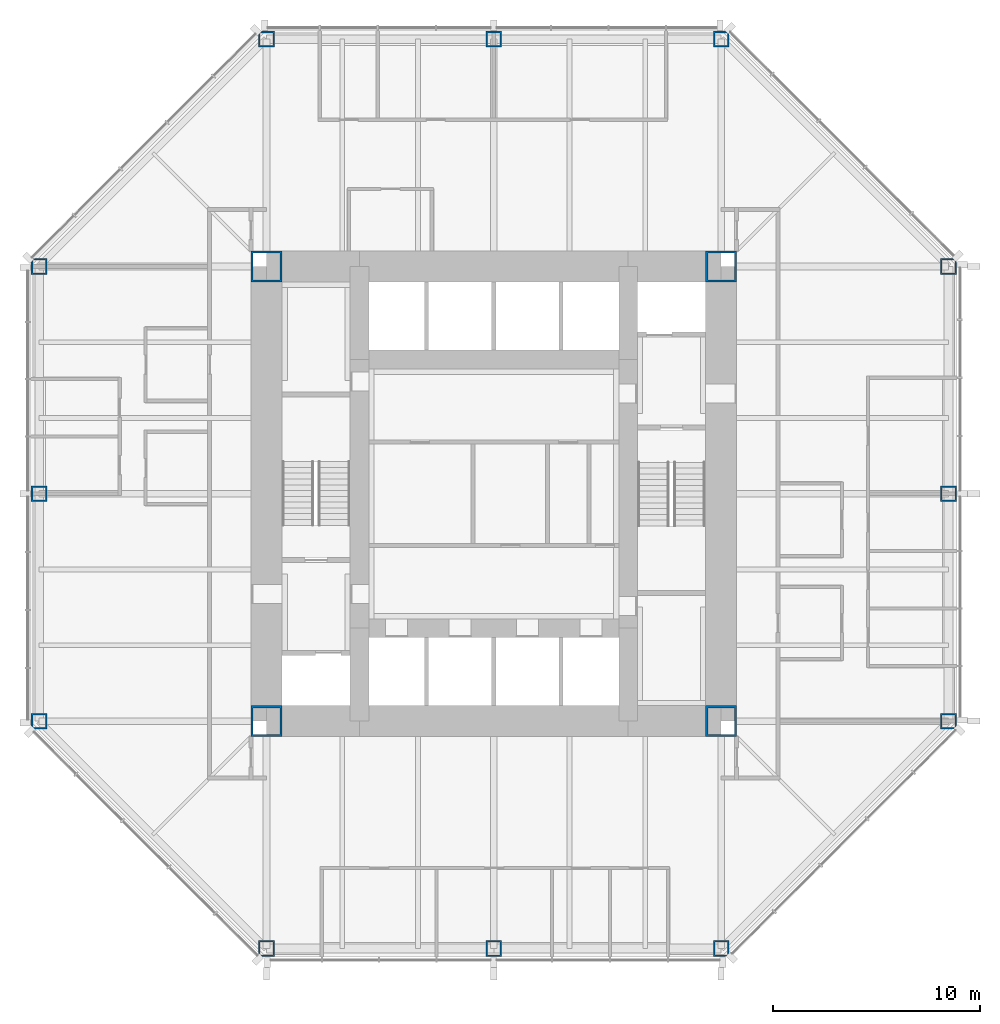
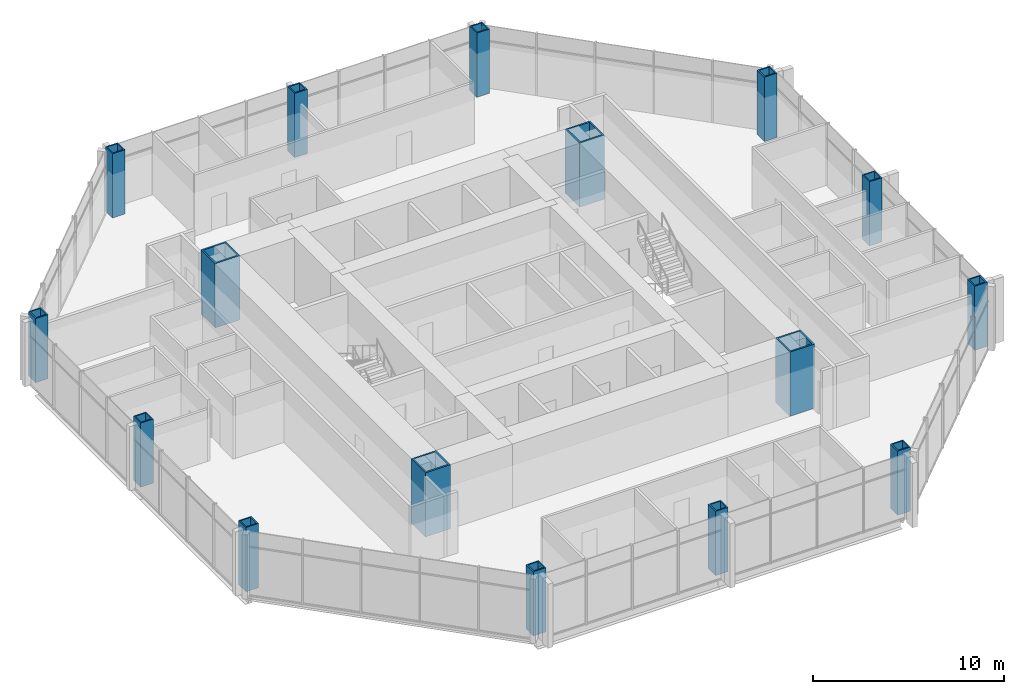
# One storey, part 1 of 12: 16 columns.
"""IFC4 building model written with IfcOpenShell, lengths in metres."""

from ifc_helpers import new_model, si_unit, direction, frame, origin, origin_2d, place, context, subcontext, project, spatial, hollow_rectangle, extrude, material, material_profile, profile_set, type_object, element, save


model = new_model("IFC4")

# Units and contexts
model_context = context("Model", 3, precision=1e-05, world=origin(), true_north=direction((0.0, 1.0)))
body_context = subcontext(model_context, "Body", "Model", "MODEL_VIEW")
ifc_project = project(units=[si_unit("LENGTHUNIT", "METRE"), si_unit("AREAUNIT", "SQUARE_METRE"), si_unit("VOLUMEUNIT", "CUBIC_METRE"), si_unit("PLANEANGLEUNIT", "RADIAN"), si_unit("MASSUNIT", "GRAM", prefix="KILO")], contexts=[model_context])

# Site, building, storey
site_placement = place(None, origin())
site = spatial("IfcSite", under=ifc_project, at=site_placement, CompositionType="ELEMENT")
building_placement = place(site_placement, origin())
building = spatial("IfcBuilding", under=site, at=building_placement, Name="Trevanion Tower", CompositionType="ELEMENT")
storey_placement = place(building_placement, frame((0.0, 0.0, 145.89990234375)))
storey = spatial("IfcBuildingStorey", under=building, at=storey_placement, Name="L34", CompositionType="ELEMENT", Elevation=145.89990234375)

# Columns
ifc_material_1 = material(Name="Steel ASTM A572 Grade 50", Category="steel")
ifc_material_profile_1 = material_profile(ifc_material_1, hollow_rectangle(XDim=0.761962890625, YDim=0.761962890625, WallThickness=0.076171875, at=origin_2d()), Name="BOX30X30X3")
ifc_profile_set_1 = profile_set([ifc_material_profile_1], Name="Steel ASTM A572 Grade 50")
column_type_1 = type_object("IfcColumnType", Name="C4 BOX30X30X3", PredefinedType="COLUMN", material=ifc_profile_set_1)
for number, where, z_axis, x_axis, name in (
    (1, (-22.0, 0.0, 0.0), (0.0, 0.0, 1.0), (0.0, 1.0, 0.0), "C4 4/H L34"),
    (2, (-22.0, -11.0, 0.0), (0.0, 0.0, 1.0), (0.0, 1.0, 0.0), "C4 4/F L34"),
    (3, (-11.0, -22.0, 0.0), (0.0, 0.0, 1.0), (1.0, 0.0, 0.0), "C4 8/B L34"),
    (4, (0.0, -22.0, 0.0), (0.0, 0.0, 1.0), (1.0, 0.0, 0.0), "C4 10/B L34"),
    (5, (11.0, -22.0, 0.0), (0.0, 0.0, 1.0), (1.0, 0.0, 0.0), "C4 12/B L34"),
    (6, (22.0, -11.0, 0.0), (0.0, 0.0, 1.0), (0.0, 1.0, 0.0), "C4 16/F L34"),
    (7, (22.0, 0.0, 0.0), (0.0, 0.0, 1.0), (0.0, 1.0, 0.0), "C4 16/H L34"),
    (8, (22.0, 11.0, 0.0), (0.0, 0.0, 1.0), (0.0, 1.0, 0.0), "C4 16/K L34"),
    (9, (11.0, 22.0, 0.0), (0.0, 0.0, 1.0), (1.0, 0.0, 0.0), "C4 12/P L34"),
    (10, (0.0, 22.0, 0.0), (0.0, 0.0, 1.0), (1.0, 0.0, 0.0), "C4 10/P L34"),
    (11, (-11.0, 22.0, 0.0), (0.0, 0.0, 1.0), (1.0, 0.0, 0.0), "C4 8/P L34"),
    (12, (-22.0, 11.0, 0.0), (0.0, 0.0, 1.0), (0.0, 1.0, 0.0), "C4 4/K L34"),
):
    element("IfcColumn", number, at=place(storey_placement, frame(where, z_axis=z_axis, x_axis=x_axis)), inside=storey, type_object=column_type_1, Name=name, PredefinedType="COLUMN", context=body_context, shape_type="SweptSolid", body=[
        extrude(hollow_rectangle(XDim=0.761962890625, YDim=0.761962890625, WallThickness=0.076171875, at=origin_2d()), origin(), (0.0, 0.0, 1.0), 4.10009765625),
    ])
ifc_material_2 = material(Name="Steel ASTM A572 Grade 50", Category="steel")
ifc_material_profile_2 = material_profile(ifc_material_2, hollow_rectangle(XDim=1.49853515625, YDim=1.49853515625, WallThickness=0.1015625, at=origin_2d()), Name="BOX59X59X4")
ifc_profile_set_2 = profile_set([ifc_material_profile_2], Name="Steel ASTM A572 Grade 50")
column_type_2 = type_object("IfcColumnType", Name="CB1 BOX59X59X4", PredefinedType="COLUMN", material=ifc_profile_set_2)
for number, where, z_axis, x_axis, name in (
    (13, (11.0, 11.0, 0.0), (0.0, 0.0, 1.0), (1.0, 0.0, 0.0), "CB1 NE L34"),
    (14, (-11.0, 11.0, 0.0), (0.0, 0.0, 1.0), (1.0, 0.0, 0.0), "CB1 NW L34"),
    (15, (-11.0, -11.0, 0.0), (0.0, 0.0, 1.0), (1.0, 0.0, 0.0), "CB1 SW L34"),
    (16, (11.0, -11.0, 0.0), (0.0, 0.0, 1.0), (1.0, 0.0, 0.0), "CB1 SE L34"),
):
    element("IfcColumn", number, at=place(storey_placement, frame(where, z_axis=z_axis, x_axis=x_axis)), inside=storey, type_object=column_type_2, Name=name, PredefinedType="COLUMN", context=body_context, shape_type="SweptSolid", body=[
        extrude(hollow_rectangle(XDim=1.49853515625, YDim=1.49853515625, WallThickness=0.1015625, at=origin_2d()), origin(), (0.0, 0.0, 1.0), 4.10009765625),
    ])

save(model, "model.ifc")
